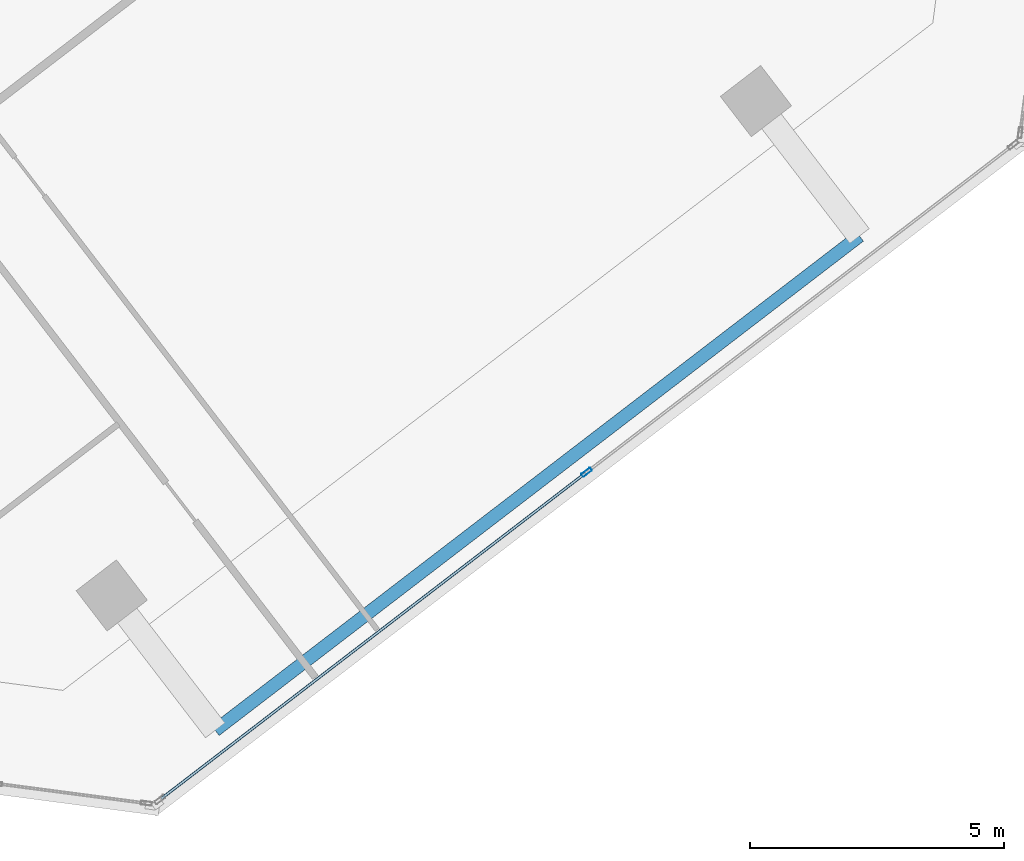
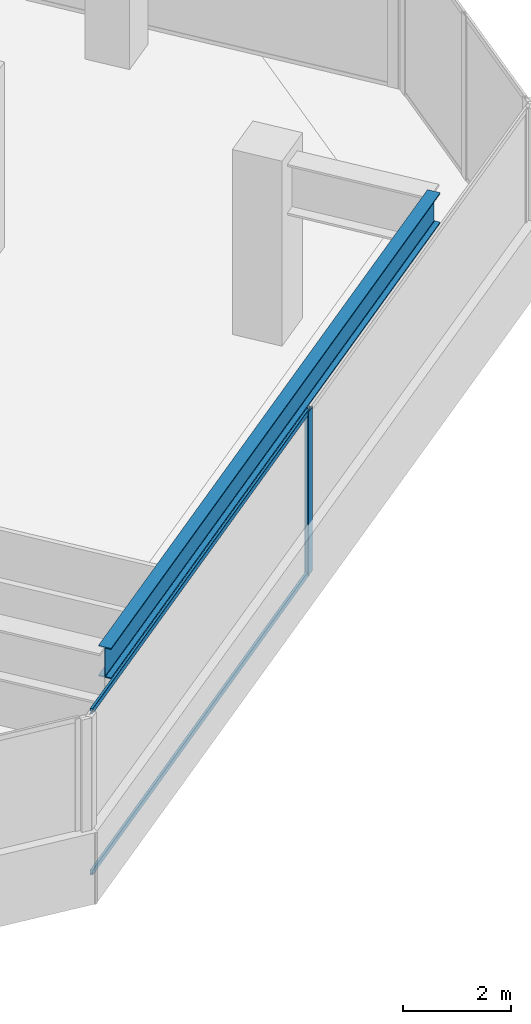
# One storey, part 5 of 17: 3 members, 1 beam, 1 element without a shape of its own.
"""IFC4 building model written with IfcOpenShell, lengths in metres."""

import ifcopenshell
import ifcopenshell.guid

model = None  # the IFC model being written
_history = None  # IfcOwnerHistory: only IFC2X3 demands one
_inside = {}  # id of a spatial element -> (the spatial element, [elements in it])
_under = {}  # id of a project, library or spatial element -> (it, [spatial elements below it])
_declared = {}  # id of a project -> (the project, [libraries it declares])
_typed = {}  # id of a type object -> (the type object, [elements of that type])
_made_of = {}  # id of a material, layer set ... -> (it, [elements and type objects made of it])


def new_model(schema):
    """Start an empty IFC model of exactly this schema.

    Asked for "IFC4X3", IfcOpenShell would pick the latest addendum, in which some entities
    have other attributes; the version numbers below select the first issue.
    IFC2X3 requires an IfcOwnerHistory on every rooted entity: one is made here for all.
    """
    global model, _history
    if schema == "IFC4X3":
        model = ifcopenshell.file(schema_version=(4, 3, 0, 0))
    else:
        model = ifcopenshell.file(schema=schema)
    _inside.clear()
    _under.clear()
    _declared.clear()
    _typed.clear()
    _made_of.clear()
    _history = None
    if model.schema == "IFC2X3":
        org = make("IfcOrganization", Name="unknown")
        user = make(
            "IfcPersonAndOrganization",
            ThePerson=make("IfcPerson", FamilyName="unknown"),
            TheOrganization=org,
        )
        app = make(
            "IfcApplication",
            ApplicationDeveloper=org,
            Version="unknown",
            ApplicationFullName="unknown",
            ApplicationIdentifier="unknown",
        )
        _history = make(
            "IfcOwnerHistory",
            OwningUser=user,
            OwningApplication=app,
            ChangeAction="ADDED",
            CreationDate=0,
        )
    return model


def make(cls, **values):
    """One entity of the class cls with the attributes given. An attribute that is None is left unset."""
    return model.create_entity(
        cls, **{name: value for name, value in values.items() if value is not None}
    )


def rooted(cls, **values):
    """An entity with a GlobalId (a new one), such as an element, a storey or a relation."""
    return make(cls, GlobalId=ifcopenshell.guid.new(), OwnerHistory=_history, **values)


def si_unit(unit_type, name, prefix=None):
    """IfcSIUnit, for example si_unit("LENGTHUNIT", "METRE", prefix="MILLI")."""
    return make("IfcSIUnit", UnitType=unit_type, Prefix=prefix, Name=name)


def assignment(units):
    """IfcUnitAssignment: the units of a project."""
    return None if units is None else make("IfcUnitAssignment", Units=units)


def point(xyz):
    """IfcCartesianPoint."""
    return None if xyz is None else make("IfcCartesianPoint", Coordinates=xyz)


def direction(xyz):
    """IfcDirection."""
    return None if xyz is None else make("IfcDirection", DirectionRatios=xyz)


def frame(location, z_axis=None, x_axis=None):
    """IfcAxis2Placement3D, a coordinate frame: its origin and axes. An axis left out is left unset."""
    return make(
        "IfcAxis2Placement3D",
        Location=point(location),
        Axis=direction(z_axis),
        RefDirection=direction(x_axis),
    )


def frame_2d(location, x_axis=None):
    """IfcAxis2Placement2D, a coordinate frame in the plane: its origin and x axis."""
    return make(
        "IfcAxis2Placement2D", Location=point(location), RefDirection=direction(x_axis)
    )


def origin():
    """The frame at (0, 0, 0) with its axes left unset."""
    return frame((0.0, 0.0, 0.0))


def origin_2d():
    """The frame at (0, 0) in the plane with its x axis left unset."""
    return frame_2d((0.0, 0.0))


def place(relative_to, where):
    """IfcLocalPlacement: puts the frame where relative to a parent placement (None: the world)."""
    return make(
        "IfcLocalPlacement", PlacementRelTo=relative_to, RelativePlacement=where
    )


def context(
    kind, dimensions, precision=None, world=None, true_north=None, identifier=None
):
    """IfcGeometricRepresentationContext, for example the 3D "Model" context."""
    return make(
        "IfcGeometricRepresentationContext",
        ContextIdentifier=identifier,
        ContextType=kind,
        CoordinateSpaceDimension=dimensions,
        Precision=precision,
        WorldCoordinateSystem=world,
        TrueNorth=true_north,
    )


def subcontext(parent, identifier, kind, view, scale=None):
    """IfcGeometricRepresentationSubContext, for example "Body" below "Model"."""
    return make(
        "IfcGeometricRepresentationSubContext",
        ContextIdentifier=identifier,
        ContextType=kind,
        ParentContext=parent,
        TargetScale=scale,
        TargetView=view,
    )


def project(units=None, contexts=None):
    """IfcProject with its units and contexts."""
    return rooted(
        "IfcProject",
        Name="project",
        RepresentationContexts=contexts,
        UnitsInContext=assignment(units),
    )


def spatial(cls, under=None, at=None, **own):
    """A site, building, storey or space (cls), placed at a placement, below another one or the project."""
    s = rooted(cls, ObjectPlacement=at, **own)
    if under is not None:
        _under.setdefault(under.id(), (under, []))[1].append(s)
    return s


def profile(cls, at=None, kind="AREA", **sizes):
    """A parametric profile (cls). Its sizes go by their IFC names, for example OverallWidth=200.0."""
    return make(cls, ProfileType=kind, Position=at, **sizes)


def hollow_rectangle(**sizes):
    """IfcRectangleHollowProfileDef."""
    return profile("IfcRectangleHollowProfileDef", **sizes)


def i_section(**sizes):
    """IfcIShapeProfileDef."""
    return profile("IfcIShapeProfileDef", **sizes)


def extrude(swept, where, along, depth):
    """IfcExtrudedAreaSolid: the profile swept, set in the frame where, extruded along a direction by depth."""
    return make(
        "IfcExtrudedAreaSolid",
        SweptArea=swept,
        Position=where,
        ExtrudedDirection=direction(along),
        Depth=depth,
    )


def shape(context_of_items, identifier, shape_type, items):
    """IfcShapeRepresentation: the items that make up one representation, for example the "Body"."""
    return make(
        "IfcShapeRepresentation",
        ContextOfItems=context_of_items,
        RepresentationIdentifier=identifier,
        RepresentationType=shape_type,
        Items=items,
    )


def source(mapping_origin, context_of_items, identifier, shape_type, items):
    """IfcRepresentationMap: a shape defined once, which mapped items show again and again."""
    return make(
        "IfcRepresentationMap",
        MappingOrigin=mapping_origin,
        MappedRepresentation=shape(context_of_items, identifier, shape_type, items),
    )


def transform(
    local_origin,
    x_axis=None,
    y_axis=None,
    z_axis=None,
    scale=None,
    scale2=None,
    scale3=None,
    uniform=True,
):
    """IfcCartesianTransformationOperator3D, or its non-uniform kind. x_axis, y_axis, z_axis: its Axis1, 2, 3."""
    if uniform:
        return make(
            "IfcCartesianTransformationOperator3D",
            Axis1=direction(x_axis),
            Axis2=direction(y_axis),
            LocalOrigin=point(local_origin),
            Scale=scale,
            Axis3=direction(z_axis),
        )
    return make(
        "IfcCartesianTransformationOperator3DnonUniform",
        Axis1=direction(x_axis),
        Axis2=direction(y_axis),
        LocalOrigin=point(local_origin),
        Scale=scale,
        Axis3=direction(z_axis),
        Scale2=scale2,
        Scale3=scale3,
    )


def mapped(mapping_source, mapping_target):
    """IfcMappedItem: shows the shape of a source again, moved by a transform."""
    return make(
        "IfcMappedItem", MappingSource=mapping_source, MappingTarget=mapping_target
    )


def material(Name=None, Category=None):
    """IfcMaterial."""
    return make("IfcMaterial", Name=Name, Category=Category)


def material_profile(
    of_material, cross_section, Name=None, Category=None, Priority=None
):
    """IfcMaterialProfile: a cross section and its material."""
    return make(
        "IfcMaterialProfile",
        Name=Name,
        Material=of_material,
        Profile=cross_section,
        Priority=Priority,
        Category=Category,
    )


def profile_set(profiles, Name=None, composite=None):
    """IfcMaterialProfileSet."""
    return make(
        "IfcMaterialProfileSet",
        Name=Name,
        MaterialProfiles=profiles,
        CompositeProfile=composite,
    )


def made_of(thing, what):
    """Note that an element or type object is made of a material, layer set ...; save() writes the relation."""
    if what is not None:
        _made_of.setdefault(what.id(), (what, []))[1].append(thing)
    return thing


def type_object(cls, material=None, **own):
    """A type object (cls), such as IfcWallType, which elements share."""
    return made_of(rooted(cls, **own), material)


def element(
    cls,
    number,
    at=None,
    inside=None,
    cuts=None,
    type_object=None,
    material=None,
    context=None,
    identifier="Body",
    shape_type=None,
    held_by="IfcProductDefinitionShape",
    body=None,
    shapes=None,
    **own,
):
    """One element of the class cls, such as IfcWall. Its Tag is "e" and its number.

    at: its placement. inside: the storey or other place that contains it. cuts: it is an
    opening in that element (IfcRelVoidsElement). A single representation is given by context,
    identifier, shape_type and body (its items); several are given by shapes. held_by: the class
    of the entity that holds the representations. save() writes the other relations.
    """
    e = rooted(cls, Tag="e%d" % number, ObjectPlacement=at, **own)
    if body is not None:
        shapes = [shape(context, identifier, shape_type, body)]
    if shapes is not None:
        e.Representation = make(held_by, Representations=shapes)
    if inside is not None:
        _inside.setdefault(inside.id(), (inside, []))[1].append(e)
    if cuts is not None:
        rooted(
            "IfcRelVoidsElement", RelatingBuildingElement=cuts, RelatedOpeningElement=e
        )
    if type_object is not None:
        _typed.setdefault(type_object.id(), (type_object, []))[1].append(e)
    return made_of(e, material)


def aggregate(whole, parts):
    """IfcRelAggregates: a whole, such as a stair, and the parts it consists of."""
    return rooted("IfcRelAggregates", RelatingObject=whole, RelatedObjects=parts)


def save(model, path):
    """Write the relations noted so far, then the file.

    IfcRelAggregates (storeys below a building ...), IfcRelContainedInSpatialStructure (elements
    in a storey), IfcRelDefinesByType, IfcRelAssociatesMaterial and IfcRelDeclares: one each for
    every whole, place, type object, material and project.
    """
    for whole, parts in _under.values():
        aggregate(whole, parts)
    for where, things in _inside.values():
        rooted(
            "IfcRelContainedInSpatialStructure",
            RelatedElements=things,
            RelatingStructure=where,
        )
    for kind, things in _typed.values():
        rooted("IfcRelDefinesByType", RelatedObjects=things, RelatingType=kind)
    for what, things in _made_of.values():
        rooted("IfcRelAssociatesMaterial", RelatedObjects=things, RelatingMaterial=what)
    for by, libraries in _declared.values():
        rooted("IfcRelDeclares", RelatingContext=by, RelatedDefinitions=libraries)
    model.write(path)


model = new_model("IFC4")

# Units and contexts
model_context = context("Model", 3, precision=1e-05, world=origin(), true_north=direction((0.0, 1.0)))
body_context = subcontext(model_context, "Body", "Model", "MODEL_VIEW")
ifc_project = project(units=[si_unit("LENGTHUNIT", "METRE"), si_unit("AREAUNIT", "SQUARE_METRE"), si_unit("VOLUMEUNIT", "CUBIC_METRE"), si_unit("PLANEANGLEUNIT", "RADIAN"), si_unit("MASSUNIT", "GRAM", prefix="KILO")], contexts=[model_context])

# Site, building, storey
site_placement = place(None, origin())
site = spatial("IfcSite", under=ifc_project, at=site_placement, CompositionType="ELEMENT")
building_placement = place(site_placement, origin())
building = spatial("IfcBuilding", under=site, at=building_placement, Name="Torre Montelarca", CompositionType="ELEMENT")
storey_placement = place(building_placement, frame((0.0, 0.0, 279.39990234375)))
storey = spatial("IfcBuildingStorey", under=building, at=storey_placement, Name="L63", CompositionType="ELEMENT", Elevation=279.39990234375)

# Beam
ifc_material_1 = material(Name="Steel ASTM A992 Grade 50", Category="steel")
ifc_material_profile_1 = material_profile(ifc_material_1, i_section(OverallWidth=0.256103515625, OverallDepth=0.693115234375, WebThickness=0.014404296875, FlangeThickness=0.023681640625, FilletRadius=0.01806640625, at=origin_2d()), Name="W690X170", Category="steel")
ifc_profile_set_1 = profile_set([ifc_material_profile_1], Name="Steel ASTM A992 Grade 50")
beam_type = type_object("IfcBeamType", Name="BM-G-W690-EXT", PredefinedType="BEAM", material=ifc_profile_set_1)
shared_shape_1 = source(origin(), body_context, "Body", "SweptSolid", [
    extrude(i_section(OverallWidth=0.256103515625, OverallDepth=0.693115234375, WebThickness=0.014404296875, FlangeThickness=0.023681640625, FilletRadius=0.01806640625, at=origin_2d()), origin(), (0.0, 0.0, 1.0), 15.999755859375),
])
beam_placement = place(storey_placement, frame((29.672119140625, 8.20849609375, 3.614013671875), z_axis=(0.793357998427, 0.60875535836, 0.0), x_axis=(-0.60875535836, 0.793357998427, 0.0)))
element("IfcBeam", 1, at=beam_placement, inside=storey, type_object=beam_type, Name="L63 Sliding Tray Edge Girder East 24-40m (FLR)", PredefinedType="BEAM", context=body_context, shape_type="MappedRepresentation", body=[
    mapped(shared_shape_1, transform((0.0, 0.0, 0.0), scale=1.0)),
])

# Curtain wall, members
ifc_material_2 = material(Name="Insulated low-E laminated glass", Category="glass")
curtain_wall_type = type_object("IfcCurtainWallType", Name="CW-SYS-Z3", PredefinedType="USERDEFINED", material=ifc_material_2)
curtain_wall_placement = place(storey_placement, origin())
curtain_wall = element("IfcCurtainWall", 2, at=curtain_wall_placement, inside=storey, type_object=curtain_wall_type, Name="L63 Curtain Wall Run CW-T3-L63-E06-B1", ObjectType="UNITISED GLAZING", PredefinedType="USERDEFINED")
ifc_material_3 = material(Name="Anodised aluminium AA 6063-T6", Category="aluminium")
ifc_material_profile_2 = material_profile(ifc_material_3, hollow_rectangle(XDim=0.054931640625, YDim=0.1201171875, WallThickness=0.00341796875, InnerFilletRadius=0.00341796875, OuterFilletRadius=0.007080078125, at=origin_2d()), Name="ALU55X120X3.5", Category="aluminium")
ifc_profile_set_2 = profile_set([ifc_material_profile_2], Name="Anodised aluminium AA 6063-T6")
member_type_1 = type_object("IfcMemberType", Name="CWT-ALU120", PredefinedType="USERDEFINED", material=ifc_profile_set_2)
shared_shape_2 = source(origin(), body_context, "Body", "SweptSolid", [
    extrude(hollow_rectangle(XDim=0.054931640625, YDim=0.1201171875, WallThickness=0.00341796875, InnerFilletRadius=0.00341796875, OuterFilletRadius=0.007080078125, at=origin_2d()), origin(), (0.0, 0.0, 1.0), 10.521484375),
])
member_1_placement = place(storey_placement, frame((28.611572265625, 6.865234375, 0.027587890625), z_axis=(0.793360927594, 0.608751540915, 0.0), x_axis=(-0.608751540915, 0.793360927594, 0.0)))
member_1 = element("IfcMember", 3, at=member_1_placement, type_object=member_type_1, Name="CW transom 1.1", ObjectType="TRANSOM", PredefinedType="USERDEFINED", context=body_context, shape_type="MappedRepresentation", body=[
    mapped(shared_shape_2, transform((0.0, 0.0, 0.0), scale=1.0)),
])
member_2_placement = place(storey_placement, frame((28.611572265625, 6.865234375, 3.692626953125), z_axis=(0.793360927594, 0.608751540915, 0.0), x_axis=(-0.608751540915, 0.793360927594, 0.0)))
member_2 = element("IfcMember", 4, at=member_2_placement, type_object=member_type_1, Name="CW transom 1.2", ObjectType="TRANSOM", PredefinedType="USERDEFINED", context=body_context, shape_type="MappedRepresentation", body=[
    mapped(shared_shape_2, transform((0.0, 0.0, 0.0), scale=1.0)),
])
ifc_material_profile_3 = material_profile(ifc_material_3, hollow_rectangle(XDim=0.074951171875, YDim=0.219970703125, WallThickness=0.0048828125, InnerFilletRadius=0.0048828125, OuterFilletRadius=0.010009765625, at=origin_2d()), Name="ALU75X220X5", Category="aluminium")
ifc_profile_set_3 = profile_set([ifc_material_profile_3], Name="Anodised aluminium AA 6063-T6")
member_type_2 = type_object("IfcMemberType", Name="CWM-ALU220", PredefinedType="MULLION", material=ifc_profile_set_3)
shared_shape_3 = source(origin(), body_context, "Body", "SweptSolid", [
    extrude(hollow_rectangle(XDim=0.074951171875, YDim=0.219970703125, WallThickness=0.0048828125, InnerFilletRadius=0.0048828125, OuterFilletRadius=0.010009765625, at=origin_2d()), origin(), (0.0, 0.0, 1.0), 3.72021484375),
])
member_3_placement = place(storey_placement, frame((36.98876953125, 13.293212890625, 0.0), z_axis=(0.0, 0.0, 1.0), x_axis=(-0.608763250019, 0.793351942978, 0.0)))
member_3 = element("IfcMember", 5, at=member_3_placement, type_object=member_type_2, Name="CW mullion 2", PredefinedType="MULLION", context=body_context, shape_type="MappedRepresentation", body=[
    mapped(shared_shape_3, transform((0.0, 0.0, 0.0), scale=1.0)),
])
aggregate(curtain_wall, [member_3, member_1, member_2])

save(model, "model.ifc")
